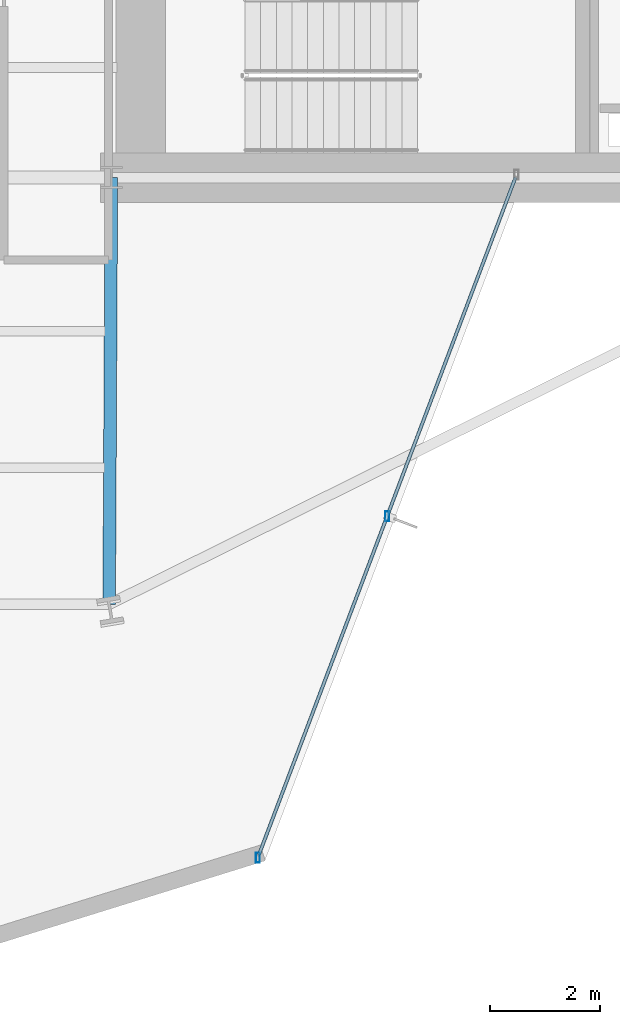
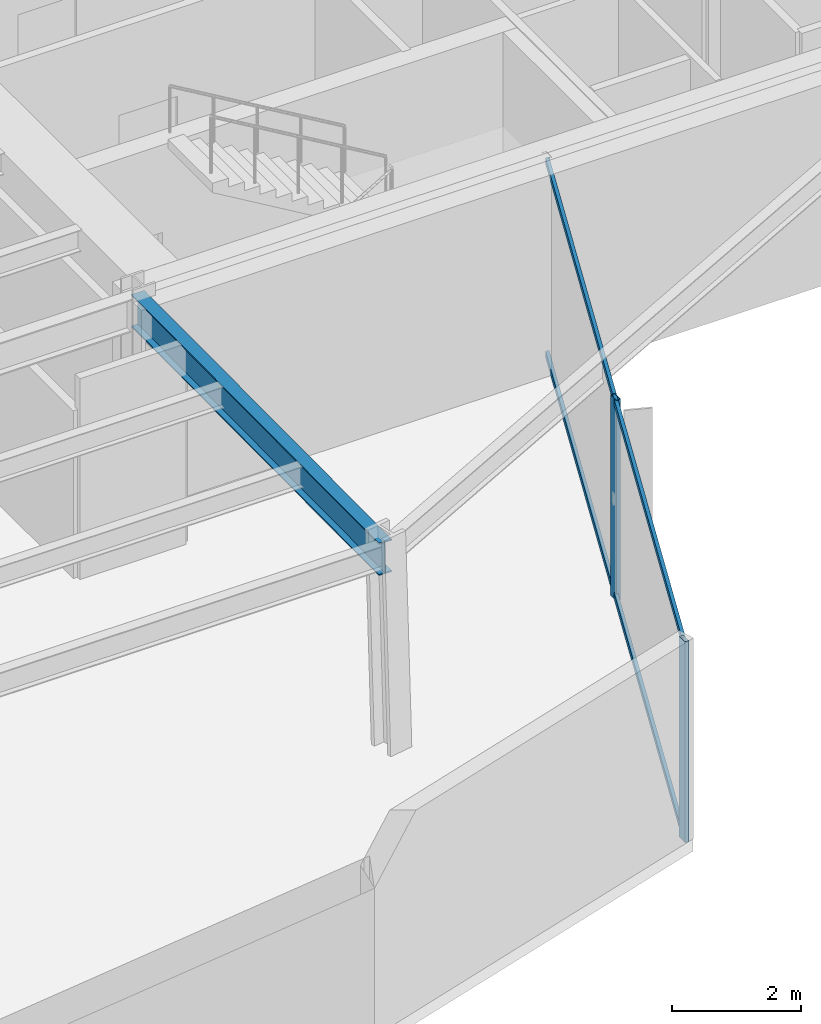
# One storey, part 13 of 28: 4 members, 1 beam, 1 element without a shape of its own.
"""IFC4 building model written with IfcOpenShell, lengths in metres."""

from ifc_helpers import new_model, si_unit, direction, frame, origin, origin_2d, place, context, subcontext, project, spatial, hollow_rectangle, i_section, extrude, material, layer, layer_set, material_profile, profile_set, type_object, element, aggregate, save


model = new_model("IFC4")

# Units and contexts
model_context = context("Model", 3, precision=1e-05, world=origin(), true_north=direction((0.0, 1.0)))
body_context = subcontext(model_context, "Body", "Model", "MODEL_VIEW")
ifc_project = project(units=[si_unit("LENGTHUNIT", "METRE"), si_unit("AREAUNIT", "SQUARE_METRE"), si_unit("VOLUMEUNIT", "CUBIC_METRE"), si_unit("PLANEANGLEUNIT", "RADIAN"), si_unit("MASSUNIT", "GRAM", prefix="KILO")], contexts=[model_context])

# Site, building, storey
site_placement = place(None, origin())
site = spatial("IfcSite", under=ifc_project, at=site_placement, CompositionType="ELEMENT")
building_placement = place(site_placement, origin())
building = spatial("IfcBuilding", under=site, at=building_placement, Name="Veymaron Broadcast Tower", CompositionType="ELEMENT")
storey_placement = place(building_placement, frame((0.0, 0.0, 45.89990234375)))
storey = spatial("IfcBuildingStorey", under=building, at=storey_placement, Name="L09", CompositionType="ELEMENT", Elevation=45.89990234375)

# Beam
ifc_material_1 = material(Name="Structural steel ASTM A992 Gr 50", Category="steel")
ifc_material_profile_1 = material_profile(ifc_material_1, i_section(OverallWidth=0.22998046875, OverallDepth=0.616943359375, WebThickness=0.01318359375, FlangeThickness=0.022216796875, at=origin_2d()), Name="W610X140")
ifc_profile_set_1 = profile_set([ifc_material_profile_1], Name="Structural steel ASTM A992 Gr 50")
beam_type = type_object("IfcBeamType", Name="BM-FG1", PredefinedType="BEAM", material=ifc_profile_set_1)
beam_placement = place(storey_placement, frame((39.0, 16.0, 3.501708984375), z_axis=(-0.00515959783, -0.999986689187, 0.0), x_axis=(0.999986689187, -0.00515959783, 0.0)))
element("IfcBeam", 1, at=beam_placement, inside=storey, type_object=beam_type, Name="L09 primary structural floor girder", PredefinedType="BEAM", context=body_context, shape_type="SweptSolid", body=[
    extrude(i_section(OverallWidth=0.22998046875, OverallDepth=0.616943359375, WebThickness=0.01318359375, FlangeThickness=0.022216796875, at=origin_2d()), origin(), (0.0, 0.0, 1.0), 7.760009765625),
])

# Curtain wall, members
ifc_material_2 = material(Name="Anodised aluminium AA 6063-T6 and laminated low-E dark glass", Category="aluminium")
ifc_layer = layer(ifc_material_2, 0.179931640625)
ifc_layer_set = layer_set([ifc_layer], Name="Anodised aluminium AA 6063-T6 and laminated low-E dark glass")
curtain_wall_type = type_object("IfcCurtainWallType", Name="CW-SYS-02", PredefinedType="NOTDEFINED", material=ifc_layer_set)
curtain_wall_placement = place(storey_placement, origin())
curtain_wall = element("IfcCurtainWall", 2, at=curtain_wall_placement, inside=storey, type_object=curtain_wall_type, Name="L09 dark-glass curtain wall CW-L09-E20-1", PredefinedType="NOTDEFINED")
ifc_material_3 = material(Name="Anodised aluminium AA 6063-T6", Category="aluminium")
ifc_material_profile_2 = material_profile(ifc_material_3, hollow_rectangle(XDim=0.074951171875, YDim=0.179931640625, WallThickness=0.0048828125, at=origin_2d()), Name="AL180X75X5")
ifc_profile_set_2 = profile_set([ifc_material_profile_2], Name="Anodised aluminium AA 6063-T6")
member_type_1 = type_object("IfcMemberType", Name="CW-MUL-02", PredefinedType="MULLION", material=ifc_profile_set_2)
member_1_placement = place(storey_placement, frame((41.663818359375, 3.635498046875, 0.0), z_axis=(0.0, 0.0, 1.0), x_axis=(1.0, 0.0, 0.0)))
member_1 = element("IfcMember", 3, at=member_1_placement, type_object=member_type_1, Name="CW-L09-E20-1 mullion 0", PredefinedType="MULLION", context=body_context, shape_type="SweptSolid", body=[
    extrude(hollow_rectangle(XDim=0.074951171875, YDim=0.179931640625, WallThickness=0.0048828125, at=origin_2d()), origin(), (0.0, 0.0, 1.0), 3.81005859375),
])
member_2_placement = place(storey_placement, frame((44.014892578125, 9.842529296875, 0.0), z_axis=(0.0, 0.0, 1.0), x_axis=(1.0, 0.0, 0.0)))
member_2 = element("IfcMember", 4, at=member_2_placement, type_object=member_type_1, Name="CW-L09-E20-1 mullion 1", PredefinedType="MULLION", context=body_context, shape_type="SweptSolid", body=[
    extrude(hollow_rectangle(XDim=0.074951171875, YDim=0.179931640625, WallThickness=0.0048828125, at=origin_2d()), origin(), (0.0, 0.0, 1.0), 3.81005859375),
])
ifc_material_profile_3 = material_profile(ifc_material_3, hollow_rectangle(XDim=0.06005859375, YDim=0.1201171875, WallThickness=0.00390625, at=origin_2d()), Name="AL120X60X4")
ifc_profile_set_3 = profile_set([ifc_material_profile_3], Name="Anodised aluminium AA 6063-T6")
member_type_2 = type_object("IfcMemberType", Name="CW-TRN-02", PredefinedType="USERDEFINED", material=ifc_profile_set_3)
member_3_placement = place(storey_placement, frame((41.681396484375, 3.682373046875, 0.070068359375), z_axis=(0.354240813024, 0.935154236684, 0.0), x_axis=(-0.935154236684, 0.354240813024, 0.0)))
member_3 = element("IfcMember", 5, at=member_3_placement, type_object=member_type_2, Name="CW-L09-E20-1 transom B", ObjectType="TRANSOM", PredefinedType="USERDEFINED", context=body_context, shape_type="SweptSolid", body=[
    extrude(hollow_rectangle(XDim=0.06005859375, YDim=0.1201171875, WallThickness=0.00390625, at=origin_2d()), origin(), (0.0, 0.0, 1.0), 13.174560546875),
])
member_4_placement = place(storey_placement, frame((41.681396484375, 3.682373046875, 3.739990234375), z_axis=(0.354240813024, 0.935154236684, 0.0), x_axis=(-0.935154236684, 0.354240813024, 0.0)))
member_4 = element("IfcMember", 6, at=member_4_placement, type_object=member_type_2, Name="CW-L09-E20-1 transom T", ObjectType="TRANSOM", PredefinedType="USERDEFINED", context=body_context, shape_type="SweptSolid", body=[
    extrude(hollow_rectangle(XDim=0.06005859375, YDim=0.1201171875, WallThickness=0.00390625, at=origin_2d()), origin(), (0.0, 0.0, 1.0), 13.174560546875),
])
aggregate(curtain_wall, [member_1, member_2, member_3, member_4])

save(model, "model.ifc")
